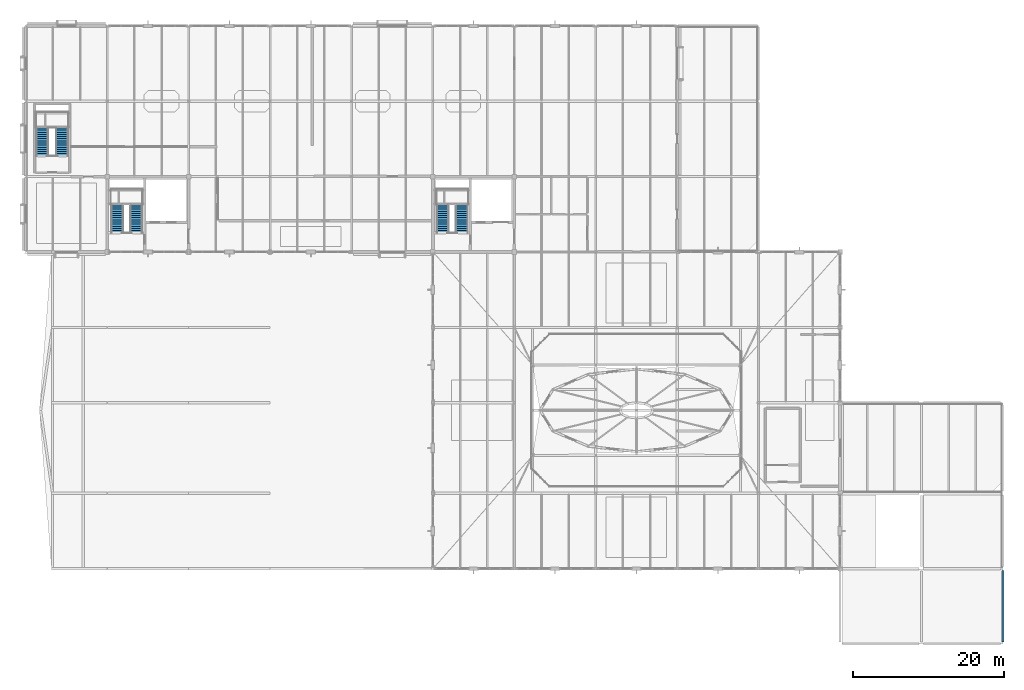
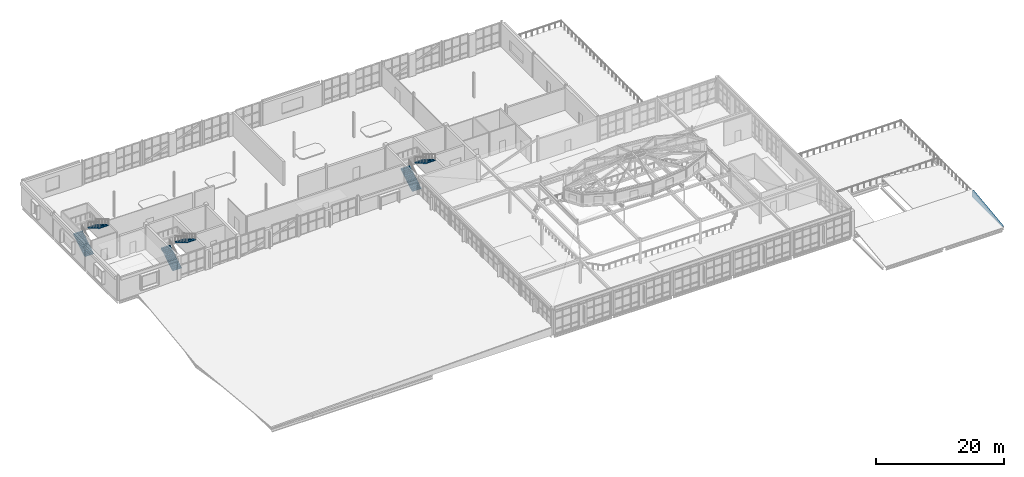
# One storey, part 78 of 86: 6 stair flights, 1 wall, 3 elements without a shape of their own.
"""IFC4 building model written with IfcOpenShell, lengths in metres."""

from ifc_helpers import new_model, si_unit, direction, frame, origin, place, context, subcontext, project, spatial, polyline, outline, extrude, material, layer, layer_set, type_object, element, aggregate, save


model = new_model("IFC4")

# Units and contexts
model_context = context("Model", 3, precision=1e-05, world=origin(), true_north=direction((0.0, 1.0)))
body_context = subcontext(model_context, "Body", "Model", "MODEL_VIEW")
ifc_project = project(units=[si_unit("LENGTHUNIT", "METRE"), si_unit("AREAUNIT", "SQUARE_METRE"), si_unit("VOLUMEUNIT", "CUBIC_METRE"), si_unit("PLANEANGLEUNIT", "RADIAN"), si_unit("MASSUNIT", "GRAM", prefix="KILO")], contexts=[model_context])

# Site, building, storey
site_placement = place(None, origin())
site = spatial("IfcSite", under=ifc_project, at=site_placement, CompositionType="ELEMENT")
building_placement = place(site_placement, origin())
building = spatial("IfcBuilding", under=site, at=building_placement, Name="Tasgan Crest Museum", CompositionType="ELEMENT")
storey_placement = place(building_placement, frame((0.0, 0.0, 24.0)))
storey = spatial("IfcBuildingStorey", under=building, at=storey_placement, Name="L04", CompositionType="ELEMENT", Elevation=24.0)

# Wall
ifc_material_1 = material(Name="Precast concrete C40/50", Category="concrete")
ifc_layer = layer(ifc_material_1, 0.320068359375, Name="WL-EXT-CLER-320")
ifc_layer_set = layer_set([ifc_layer], Name="Precast concrete C40/50")
wall_type = type_object("IfcWallType", Name="WL-EXT-CLER-320", PredefinedType="STANDARD", material=ifc_layer_set)
wall_placement = place(storey_placement, frame((129.60009765625, 30.25, -0.02001953125), z_axis=(0.0, 0.0, 1.0), x_axis=(0.0, 1.0, 0.0)))
element("IfcWall", 1, at=wall_placement, inside=storey, type_object=wall_type, Name="Sloped roof gable wall V3-L03S-E", PredefinedType="STANDARD", context=body_context, shape_type="SweptSolid", body=[
    extrude(outline(polyline([(0.0, 0.0), (9.5, 0.0), (9.5, 1.219970703125), (0.0, 0.0400390625), (0.0, 0.0)])), frame((0.0, 0.14013671875, 0.0), z_axis=(0.0, -1.0, 0.0), x_axis=(1.0, 0.0, 0.0)), (0.0, 0.0, 1.0), 0.280029296875),
])

# Stair, stair flights
ifc_material_2 = material(Name="Concrete C35/45", Category="concrete")
stair_type = type_object("IfcStairType", Name="ST-CORE-48", PredefinedType="HALF_TURN_STAIR", material=ifc_material_2)
stair_1_placement = place(storey_placement, origin())
stair_1 = element("IfcStair", 2, at=stair_1_placement, inside=storey, type_object=stair_type, Name="Stair ST-NW-L04 L04", PredefinedType="HALF_TURN_STAIR")
ifc_material_3 = material(Name="Concrete C35/45", Category="concrete")
stair_flight_type = type_object("IfcStairFlightType", Name="SF-RC-1620", PredefinedType="STRAIGHT", material=ifc_material_3)
stair_flight_1_placement = place(storey_placement, frame((12.110107421875, 84.550048828125, 0.0), z_axis=(0.0, 0.0, 1.0), x_axis=(0.0, 1.0, 0.0)))
stair_flight_1 = element("IfcStairFlight", 3, at=stair_flight_1_placement, type_object=stair_flight_type, Name="ST-NW-L04 flight 1", NumberOfRisers=14, NumberOfTreads=13, PredefinedType="STRAIGHT", RiserHeight=0.171428571, TreadLength=0.285, context=body_context, shape_type="SweptSolid", body=[
    extrude(outline(polyline([(0.0, 0.0), (0.0, 0.17138671875), (0.284912109375, 0.17138671875), (0.284912109375, 0.3427734375), (0.570068359375, 0.3427734375), (0.570068359375, 0.514404296875), (0.85498046875, 0.514404296875), (0.85498046875, 0.685791015625), (1.139892578125, 0.685791015625), (1.139892578125, 0.857177734375), (1.425048828125, 0.857177734375), (1.425048828125, 1.028564453125), (1.7099609375, 1.028564453125), (1.7099609375, 1.199951171875), (1.9951171875, 1.199951171875), (1.9951171875, 1.371337890625), (2.280029296875, 1.371337890625), (2.280029296875, 1.54296875), (2.56494140625, 1.54296875), (2.56494140625, 1.71435546875), (2.85009765625, 1.71435546875), (2.85009765625, 1.8857421875), (3.135009765625, 1.8857421875), (3.135009765625, 2.05712890625), (3.419921875, 2.05712890625), (3.419921875, 2.228515625), (3.705078125, 2.228515625), (3.705078125, 2.39990234375), (3.705078125, 2.0537109375), (0.290771484375, 0.0), (0.0, 0.0)])), frame((0.0, 0.81005859375, 0.0), z_axis=(0.0, -1.0, 0.0), x_axis=(1.0, 0.0, 0.0)), (0.0, 0.0, 1.0), 1.6201171875),
])
stair_flight_2_placement = place(storey_placement, frame((14.639892578125, 88.2548828125, 2.39990234375), z_axis=(0.0, 0.0, 1.0), x_axis=(0.0, -1.0, 0.0)))
stair_flight_2 = element("IfcStairFlight", 4, at=stair_flight_2_placement, type_object=stair_flight_type, Name="ST-NW-L04 flight 2", NumberOfRisers=14, NumberOfTreads=13, PredefinedType="STRAIGHT", RiserHeight=0.171428571, TreadLength=0.285, context=body_context, shape_type="SweptSolid", body=[
    extrude(outline(polyline([(0.0, 0.0), (0.0, 0.17138671875), (0.284912109375, 0.17138671875), (0.284912109375, 0.3427734375), (0.570068359375, 0.3427734375), (0.570068359375, 0.514404296875), (0.85498046875, 0.514404296875), (0.85498046875, 0.685791015625), (1.139892578125, 0.685791015625), (1.139892578125, 0.857177734375), (1.425048828125, 0.857177734375), (1.425048828125, 1.028564453125), (1.7099609375, 1.028564453125), (1.7099609375, 1.199951171875), (1.9951171875, 1.199951171875), (1.9951171875, 1.371337890625), (2.280029296875, 1.371337890625), (2.280029296875, 1.54296875), (2.56494140625, 1.54296875), (2.56494140625, 1.71435546875), (2.85009765625, 1.71435546875), (2.85009765625, 1.8857421875), (3.135009765625, 1.8857421875), (3.135009765625, 2.05712890625), (3.419921875, 2.05712890625), (3.419921875, 2.228515625), (3.705078125, 2.228515625), (3.705078125, 2.39990234375), (3.705078125, 2.0537109375), (0.290771484375, 0.0), (0.0, 0.0)])), frame((0.0, 0.81005859375, 0.0), z_axis=(0.0, -1.0, 0.0), x_axis=(1.0, 0.0, 0.0)), (0.0, 0.0, 1.0), 1.6201171875),
])
aggregate(stair_1, [stair_flight_1, stair_flight_2])

stair_2_placement = place(storey_placement, origin())
stair_2 = element("IfcStair", 5, at=stair_2_placement, inside=storey, type_object=stair_type, Name="Stair ST-NC-L04 L04", PredefinedType="HALF_TURN_STAIR")
stair_flight_3_placement = place(storey_placement, frame((55.31005859375, 84.550048828125, 0.0), z_axis=(0.0, 0.0, 1.0), x_axis=(0.0, 1.0, 0.0)))
stair_flight_3 = element("IfcStairFlight", 6, at=stair_flight_3_placement, type_object=stair_flight_type, Name="ST-NC-L04 flight 1", NumberOfRisers=14, NumberOfTreads=13, PredefinedType="STRAIGHT", RiserHeight=0.171428571, TreadLength=0.285, context=body_context, shape_type="SweptSolid", body=[
    extrude(outline(polyline([(0.0, 0.0), (0.0, 0.17138671875), (0.284912109375, 0.17138671875), (0.284912109375, 0.3427734375), (0.570068359375, 0.3427734375), (0.570068359375, 0.514404296875), (0.85498046875, 0.514404296875), (0.85498046875, 0.685791015625), (1.139892578125, 0.685791015625), (1.139892578125, 0.857177734375), (1.425048828125, 0.857177734375), (1.425048828125, 1.028564453125), (1.7099609375, 1.028564453125), (1.7099609375, 1.199951171875), (1.9951171875, 1.199951171875), (1.9951171875, 1.371337890625), (2.280029296875, 1.371337890625), (2.280029296875, 1.54296875), (2.56494140625, 1.54296875), (2.56494140625, 1.71435546875), (2.85009765625, 1.71435546875), (2.85009765625, 1.8857421875), (3.135009765625, 1.8857421875), (3.135009765625, 2.05712890625), (3.419921875, 2.05712890625), (3.419921875, 2.228515625), (3.705078125, 2.228515625), (3.705078125, 2.39990234375), (3.705078125, 2.0537109375), (0.290771484375, 0.0), (0.0, 0.0)])), frame((0.0, 0.81005859375, 0.0), z_axis=(0.0, -1.0, 0.0), x_axis=(1.0, 0.0, 0.0)), (0.0, 0.0, 1.0), 1.6201171875),
])
stair_flight_4_placement = place(storey_placement, frame((57.840087890625, 88.2548828125, 2.39990234375), z_axis=(0.0, 0.0, 1.0), x_axis=(0.0, -1.0, 0.0)))
stair_flight_4 = element("IfcStairFlight", 7, at=stair_flight_4_placement, type_object=stair_flight_type, Name="ST-NC-L04 flight 2", NumberOfRisers=14, NumberOfTreads=13, PredefinedType="STRAIGHT", RiserHeight=0.171428571, TreadLength=0.285, context=body_context, shape_type="SweptSolid", body=[
    extrude(outline(polyline([(0.0, 0.0), (0.0, 0.17138671875), (0.284912109375, 0.17138671875), (0.284912109375, 0.3427734375), (0.570068359375, 0.3427734375), (0.570068359375, 0.514404296875), (0.85498046875, 0.514404296875), (0.85498046875, 0.685791015625), (1.139892578125, 0.685791015625), (1.139892578125, 0.857177734375), (1.425048828125, 0.857177734375), (1.425048828125, 1.028564453125), (1.7099609375, 1.028564453125), (1.7099609375, 1.199951171875), (1.9951171875, 1.199951171875), (1.9951171875, 1.371337890625), (2.280029296875, 1.371337890625), (2.280029296875, 1.54296875), (2.56494140625, 1.54296875), (2.56494140625, 1.71435546875), (2.85009765625, 1.71435546875), (2.85009765625, 1.8857421875), (3.135009765625, 1.8857421875), (3.135009765625, 2.05712890625), (3.419921875, 2.05712890625), (3.419921875, 2.228515625), (3.705078125, 2.228515625), (3.705078125, 2.39990234375), (3.705078125, 2.0537109375), (0.290771484375, 0.0), (0.0, 0.0)])), frame((0.0, 0.81005859375, 0.0), z_axis=(0.0, -1.0, 0.0), x_axis=(1.0, 0.0, 0.0)), (0.0, 0.0, 1.0), 1.6201171875),
])
aggregate(stair_2, [stair_flight_3, stair_flight_4])

stair_3_placement = place(storey_placement, origin())
stair_3 = element("IfcStair", 8, at=stair_3_placement, inside=storey, type_object=stair_type, Name="Stair ST-GW-L04 L04", PredefinedType="HALF_TURN_STAIR")
stair_flight_5_placement = place(storey_placement, frame((2.18994140625, 94.75, 0.0), z_axis=(0.0, 0.0, 1.0), x_axis=(0.0, 1.0, 0.0)))
stair_flight_5 = element("IfcStairFlight", 9, at=stair_flight_5_placement, type_object=stair_flight_type, Name="ST-GW-L04 flight 1", NumberOfRisers=14, NumberOfTreads=13, PredefinedType="STRAIGHT", RiserHeight=0.171428571, TreadLength=0.285, context=body_context, shape_type="SweptSolid", body=[
    extrude(outline(polyline([(0.0, 0.0), (0.0, 0.17138671875), (0.284912109375, 0.17138671875), (0.284912109375, 0.3427734375), (0.570068359375, 0.3427734375), (0.570068359375, 0.514404296875), (0.85498046875, 0.514404296875), (0.85498046875, 0.685791015625), (1.139892578125, 0.685791015625), (1.139892578125, 0.857177734375), (1.425048828125, 0.857177734375), (1.425048828125, 1.028564453125), (1.7099609375, 1.028564453125), (1.7099609375, 1.199951171875), (1.9951171875, 1.199951171875), (1.9951171875, 1.371337890625), (2.280029296875, 1.371337890625), (2.280029296875, 1.54296875), (2.56494140625, 1.54296875), (2.56494140625, 1.71435546875), (2.85009765625, 1.71435546875), (2.85009765625, 1.8857421875), (3.135009765625, 1.8857421875), (3.135009765625, 2.05712890625), (3.419921875, 2.05712890625), (3.419921875, 2.228515625), (3.705078125, 2.228515625), (3.705078125, 2.39990234375), (3.705078125, 2.0537109375), (0.290771484375, 0.0), (0.0, 0.0)])), frame((0.0, 0.81005859375, 0.0), z_axis=(0.0, -1.0, 0.0), x_axis=(1.0, 0.0, 0.0)), (0.0, 0.0, 1.0), 1.6201171875),
])
stair_flight_6_placement = place(storey_placement, frame((4.81005859375, 98.455078125, 2.39990234375), z_axis=(0.0, 0.0, 1.0), x_axis=(0.0, -1.0, 0.0)))
stair_flight_6 = element("IfcStairFlight", 10, at=stair_flight_6_placement, type_object=stair_flight_type, Name="ST-GW-L04 flight 2", NumberOfRisers=14, NumberOfTreads=13, PredefinedType="STRAIGHT", RiserHeight=0.171428571, TreadLength=0.285, context=body_context, shape_type="SweptSolid", body=[
    extrude(outline(polyline([(0.0, 0.0), (0.0, 0.17138671875), (0.284912109375, 0.17138671875), (0.284912109375, 0.3427734375), (0.570068359375, 0.3427734375), (0.570068359375, 0.514404296875), (0.85498046875, 0.514404296875), (0.85498046875, 0.685791015625), (1.139892578125, 0.685791015625), (1.139892578125, 0.857177734375), (1.425048828125, 0.857177734375), (1.425048828125, 1.028564453125), (1.7099609375, 1.028564453125), (1.7099609375, 1.199951171875), (1.9951171875, 1.199951171875), (1.9951171875, 1.371337890625), (2.280029296875, 1.371337890625), (2.280029296875, 1.54296875), (2.56494140625, 1.54296875), (2.56494140625, 1.71435546875), (2.85009765625, 1.71435546875), (2.85009765625, 1.8857421875), (3.135009765625, 1.8857421875), (3.135009765625, 2.05712890625), (3.419921875, 2.05712890625), (3.419921875, 2.228515625), (3.705078125, 2.228515625), (3.705078125, 2.39990234375), (3.705078125, 2.0537109375), (0.290771484375, 0.0), (0.0, 0.0)])), frame((0.0, 0.81005859375, 0.0), z_axis=(0.0, -1.0, 0.0), x_axis=(1.0, 0.0, 0.0)), (0.0, 0.0, 1.0), 1.6201171875),
])
aggregate(stair_3, [stair_flight_5, stair_flight_6])

save(model, "model.ifc")
